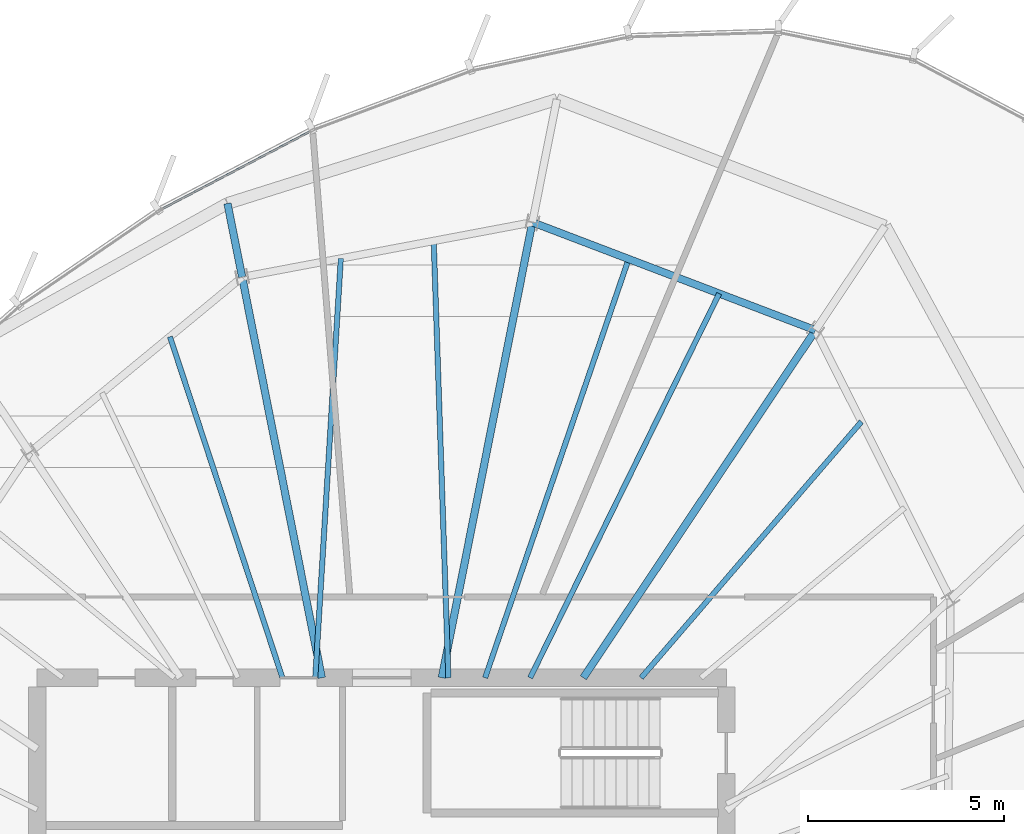
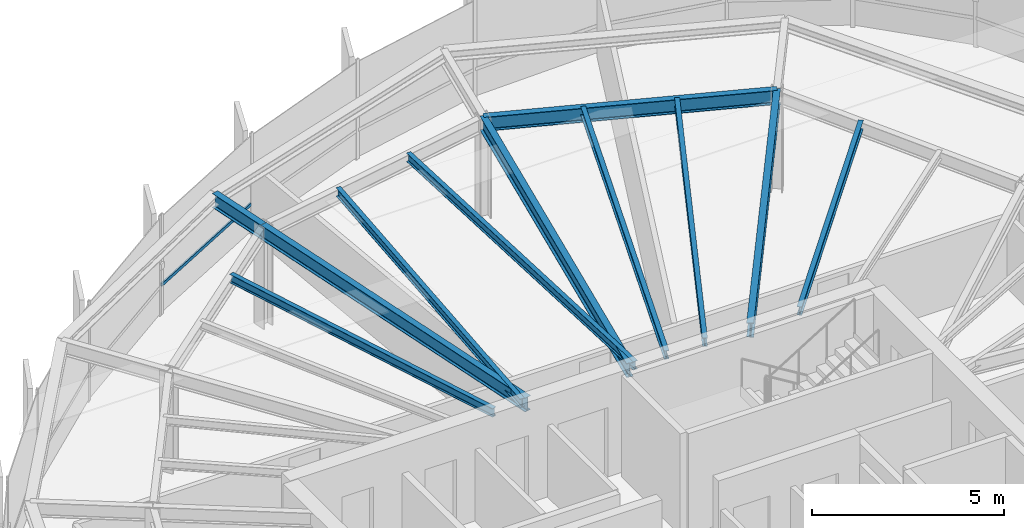
# One storey, part 22 of 35: 11 beams, 1 member, 1 element without a shape of its own.
"""IFC4 building model written with IfcOpenShell, lengths in metres."""

from ifc_helpers import new_model, si_unit, direction, frame, origin, origin_2d, place, context, subcontext, project, spatial, hollow_rectangle, i_section, extrude, source, transform, mapped, material, layer, layer_set, material_profile, profile_set, type_object, element, aggregate, save


model = new_model("IFC4")

# Units and contexts
model_context = context("Model", 3, precision=1e-05, world=origin(), true_north=direction((0.0, 1.0)))
body_context = subcontext(model_context, "Body", "Model", "MODEL_VIEW")
ifc_project = project(units=[si_unit("LENGTHUNIT", "METRE"), si_unit("AREAUNIT", "SQUARE_METRE"), si_unit("VOLUMEUNIT", "CUBIC_METRE"), si_unit("PLANEANGLEUNIT", "RADIAN"), si_unit("MASSUNIT", "GRAM", prefix="KILO"), si_unit("THERMODYNAMICTEMPERATUREUNIT", "KELVIN")], contexts=[model_context])

# Site, building, storey
site_placement = place(None, origin())
site = spatial("IfcSite", under=ifc_project, at=site_placement, CompositionType="ELEMENT")
building_placement = place(site_placement, origin())
building = spatial("IfcBuilding", under=site, at=building_placement, Name="Kethvar Cultural Tower", CompositionType="ELEMENT")
storey_placement = place(building_placement, frame((0.0, 0.0, 249.10009765625)))
storey = spatial("IfcBuildingStorey", under=building, at=storey_placement, Name="L65", CompositionType="ELEMENT", Elevation=249.10009765625)

# Beams
ifc_material_1 = material(Name="Steel S355J2", Category="steel")
ifc_material_profile_1 = material_profile(ifc_material_1, i_section(OverallWidth=0.18994140625, OverallDepth=0.449951171875, WebThickness=0.009521484375, FlangeThickness=0.0146484375, FilletRadius=0.02099609375, at=origin_2d()), Name="Steel S355J2 — IPE450")
ifc_profile_set_1 = profile_set([ifc_material_profile_1], Name="Steel S355J2 — IPE450")
beam_type_1 = type_object("IfcBeamType", Name="BM-IPE450", PredefinedType="BEAM", material=ifc_profile_set_1)
shared_shape_1 = source(origin(), body_context, "Body", "SweptSolid", [
    extrude(i_section(OverallWidth=0.18994140625, OverallDepth=0.449951171875, WebThickness=0.009521484375, FlangeThickness=0.0146484375, FilletRadius=0.02099609375, at=origin_2d()), origin(), (0.0, 0.0, 1.0), 10.673828125),
])
beam_1_placement = place(storey_placement, frame((51.945068359375, 35.5, 2.98291015625), z_axis=(0.555576086183, 0.831465701314, 0.0), x_axis=(-0.831465701314, 0.555576086183, 0.0)))
element("IfcBeam", 1, at=beam_1_placement, inside=storey, type_object=beam_type_1, Name="L65 Primary Radial Beam RB-03", PredefinedType="BEAM", context=body_context, shape_type="MappedRepresentation", body=[
    mapped(shared_shape_1, transform((0.0, 0.0, 0.0), scale=1.0)),
])
shared_shape_2 = source(origin(), body_context, "Body", "SweptSolid", [
    extrude(i_section(OverallWidth=0.18994140625, OverallDepth=0.449951171875, WebThickness=0.009521484375, FlangeThickness=0.0146484375, FilletRadius=0.02099609375, at=origin_2d()), origin(), (0.0, 0.0, 1.0), 11.859375),
])
beam_2_placement = place(storey_placement, frame((48.33154296875, 35.5, 2.98291015625), z_axis=(0.195094640585, 0.980784421377, 0.0), x_axis=(-0.980784421377, 0.195094640585, 0.0)))
element("IfcBeam", 2, at=beam_2_placement, inside=storey, type_object=beam_type_1, Name="L65 Primary Radial Beam RB-04", PredefinedType="BEAM", context=body_context, shape_type="MappedRepresentation", body=[
    mapped(shared_shape_2, transform((0.0, 0.0, 0.0), scale=1.0)),
])
shared_shape_3 = source(origin(), body_context, "Body", "SweptSolid", [
    extrude(i_section(OverallWidth=0.18994140625, OverallDepth=0.449951171875, WebThickness=0.009521484375, FlangeThickness=0.0146484375, FilletRadius=0.02099609375, at=origin_2d()), origin(), (0.0, 0.0, 1.0), 10.432861328125),
])
beam_3_placement = place(storey_placement, frame((45.268310546875, 35.5, 2.98291015625), z_axis=(-0.195094483249, 0.980784452673, 0.0), x_axis=(-0.980784452673, -0.195094483249, 0.0)))
element("IfcBeam", 3, at=beam_3_placement, inside=storey, type_object=beam_type_1, Name="L65 Primary Radial Beam RB-05", PredefinedType="BEAM", context=body_context, shape_type="MappedRepresentation", body=[
    mapped(shared_shape_3, transform((0.0, 0.0, 0.0), scale=1.0)),
])
ifc_material_profile_2 = material_profile(ifc_material_1, i_section(OverallWidth=0.135009765625, OverallDepth=0.27001953125, WebThickness=0.006591796875, FlangeThickness=0.01025390625, FilletRadius=0.014892578125, at=origin_2d()), Name="Steel S355J2 — IPE270")
ifc_profile_set_2 = profile_set([ifc_material_profile_2], Name="Steel S355J2 — IPE270")
beam_type_2 = type_object("IfcBeamType", Name="BM-J270", PredefinedType="JOIST", material=ifc_profile_set_2)
shared_shape_4 = source(origin(), body_context, "Body", "SweptSolid", [
    extrude(i_section(OverallWidth=0.135009765625, OverallDepth=0.27001953125, WebThickness=0.006591796875, FlangeThickness=0.01025390625, FilletRadius=0.014892578125, at=origin_2d()), origin(), (0.0, 0.0, 1.0), 8.6259765625),
])
beam_4_placement = place(storey_placement, frame((53.42333984375, 35.5, 3.072998046875), z_axis=(0.65210499689, 0.758128665222, 0.0), x_axis=(-0.758128665222, 0.65210499689, 0.0)))
element("IfcBeam", 4, at=beam_4_placement, inside=storey, type_object=beam_type_2, Name="L65 Composite Floor Joist J-02B", PredefinedType="JOIST", context=body_context, shape_type="MappedRepresentation", body=[
    mapped(shared_shape_4, transform((0.0, 0.0, 0.0), scale=1.0)),
])
shared_shape_5 = source(origin(), body_context, "Body", "SweptSolid", [
    extrude(i_section(OverallWidth=0.18994140625, OverallDepth=0.449951171875, WebThickness=0.009521484375, FlangeThickness=0.0146484375, FilletRadius=0.02099609375, at=origin_2d()), origin(), (0.0, 0.0, 1.0), 7.737548828125),
])
beam_5_placement = place(storey_placement, frame((57.875244140625, 44.375, 2.98291015625), z_axis=(-0.934388230776, 0.356256416347, 0.0), x_axis=(-0.356256416347, -0.934388230776, 0.0)))
element("IfcBeam", 5, at=beam_5_placement, inside=storey, type_object=beam_type_1, Name="L65 Column Ring Tie Beam CR-03", PredefinedType="BEAM", context=body_context, shape_type="MappedRepresentation", body=[
    mapped(shared_shape_5, transform((0.0, 0.0, 0.0), scale=1.0)),
])
shared_shape_6 = source(origin(), body_context, "Body", "SweptSolid", [
    extrude(i_section(OverallWidth=0.135009765625, OverallDepth=0.27001953125, WebThickness=0.006591796875, FlangeThickness=0.01025390625, FilletRadius=0.014892578125, at=origin_2d()), origin(), (0.0, 0.0, 1.0), 10.935791015625),
])
beam_6_placement = place(storey_placement, frame((50.5888671875, 35.5, 3.072998046875), z_axis=(0.441498236677, 0.897262117227, 0.0), x_axis=(-0.897262117227, 0.441498236677, 0.0)))
element("IfcBeam", 6, at=beam_6_placement, inside=storey, type_object=beam_type_2, Name="L65 Composite Floor Joist J-03A", PredefinedType="JOIST", context=body_context, shape_type="MappedRepresentation", body=[
    mapped(shared_shape_6, transform((0.0, 0.0, 0.0), scale=1.0)),
])
shared_shape_7 = source(origin(), body_context, "Body", "SweptSolid", [
    extrude(i_section(OverallWidth=0.135009765625, OverallDepth=0.27001953125, WebThickness=0.006591796875, FlangeThickness=0.01025390625, FilletRadius=0.014892578125, at=origin_2d()), origin(), (0.0, 0.0, 1.0), 11.304931640625),
])
beam_7_placement = place(storey_placement, frame((49.438720703125, 35.5, 3.072998046875), z_axis=(0.324179110764, 0.945995720997, 0.0), x_axis=(-0.945995720997, 0.324179110764, 0.0)))
element("IfcBeam", 7, at=beam_7_placement, inside=storey, type_object=beam_type_2, Name="L65 Composite Floor Joist J-03B", PredefinedType="JOIST", context=body_context, shape_type="MappedRepresentation", body=[
    mapped(shared_shape_7, transform((0.0, 0.0, 0.0), scale=1.0)),
])
shared_shape_8 = source(origin(), body_context, "Body", "SweptSolid", [
    extrude(i_section(OverallWidth=0.135009765625, OverallDepth=0.27001953125, WebThickness=0.006591796875, FlangeThickness=0.01025390625, FilletRadius=0.014892578125, at=origin_2d()), origin(), (0.0, 0.0, 1.0), 11.162109375),
])
beam_8_placement = place(storey_placement, frame((48.5, 35.5, 3.072998046875), z_axis=(-0.0335959409, 0.999435497046, 0.0), x_axis=(-0.999435497046, -0.0335959409, 0.0)))
element("IfcBeam", 8, at=beam_8_placement, inside=storey, type_object=beam_type_2, Name="L65 Composite Floor Joist J-04A", PredefinedType="JOIST", context=body_context, shape_type="MappedRepresentation", body=[
    mapped(shared_shape_8, transform((0.0, 0.0, 0.0), scale=1.0)),
])
shared_shape_9 = source(origin(), body_context, "Body", "SweptSolid", [
    extrude(i_section(OverallWidth=0.135009765625, OverallDepth=0.27001953125, WebThickness=0.006591796875, FlangeThickness=0.01025390625, FilletRadius=0.014892578125, at=origin_2d()), origin(), (0.0, 0.0, 1.0), 10.727783203125),
])
beam_9_placement = place(storey_placement, frame((45.10009765625, 35.5, 3.072998046875), z_axis=(0.060876395586, 0.998145312297, 0.0), x_axis=(-0.998145312297, 0.060876395586, 0.0)))
element("IfcBeam", 9, at=beam_9_placement, inside=storey, type_object=beam_type_2, Name="L65 Composite Floor Joist J-04B", PredefinedType="JOIST", context=body_context, shape_type="MappedRepresentation", body=[
    mapped(shared_shape_9, transform((0.0, 0.0, 0.0), scale=1.0)),
])
shared_shape_10 = source(origin(), body_context, "Body", "SweptSolid", [
    extrude(i_section(OverallWidth=0.135009765625, OverallDepth=0.27001953125, WebThickness=0.006591796875, FlangeThickness=0.01025390625, FilletRadius=0.014892578125, at=origin_2d()), origin(), (0.0, 0.0, 1.0), 9.17138671875),
])
beam_10_placement = place(storey_placement, frame((44.260986328125, 35.5, 3.072998046875), z_axis=(-0.313151555446, 0.949703165901, 0.0), x_axis=(-0.949703165901, -0.313151555446, 0.0)))
element("IfcBeam", 10, at=beam_10_placement, inside=storey, type_object=beam_type_2, Name="L65 Composite Floor Joist J-05A", PredefinedType="JOIST", context=body_context, shape_type="MappedRepresentation", body=[
    mapped(shared_shape_10, transform((0.0, 0.0, 0.0), scale=1.0)),
])
shared_shape_11 = source(origin(), body_context, "Body", "SweptSolid", [
    extrude(i_section(OverallWidth=0.18994140625, OverallDepth=0.449951171875, WebThickness=0.009521484375, FlangeThickness=0.0146484375, FilletRadius=0.02099609375, at=origin_2d()), origin(), (0.0, 0.0, 1.0), 1.917236328125),
])
beam_11_placement = place(storey_placement, frame((43.23291015625, 45.732421875, 2.98291015625), z_axis=(-0.195087498068, 0.980785842117, 0.0), x_axis=(-0.980785842117, -0.195087498068, 0.0)))
element("IfcBeam", 11, at=beam_11_placement, inside=storey, type_object=beam_type_1, Name="L65 Perimeter Cantilever Beam RC-05", PredefinedType="BEAM", context=body_context, shape_type="MappedRepresentation", body=[
    mapped(shared_shape_11, transform((0.0, 0.0, 0.0), scale=1.0)),
])

# Curtain wall, member
ifc_material_2 = material(Name="Aluminium 6063-T6", Category="aluminium")
ifc_layer = layer(ifc_material_2, 0.179931640625, Name="Aluminium 6063-T6", Category="aluminium")
ifc_layer_set = layer_set([ifc_layer], Name="Aluminium 6063-T6 (180 mm)")
curtain_wall_type = type_object("IfcCurtainWallType", Name="CW-SYS-05-Z56", PredefinedType="NOTDEFINED", material=ifc_layer_set)
curtain_wall_placement = place(storey_placement, origin())
curtain_wall = element("IfcCurtainWall", 12, at=curtain_wall_placement, inside=storey, type_object=curtain_wall_type, Name="L65 Curtain Wall Run 01", PredefinedType="NOTDEFINED")
ifc_material_profile_3 = material_profile(ifc_material_2, hollow_rectangle(XDim=0.050048828125, YDim=0.10009765625, WallThickness=0.00390625, at=origin_2d()), Name="Aluminium 6063-T6 — RHS100x50x4")
ifc_profile_set_3 = profile_set([ifc_material_profile_3], Name="Aluminium 6063-T6 — RHS100x50x4")
member_type = type_object("IfcMemberType", Name="CW-SYS-05-Z56-TRN", PredefinedType="USERDEFINED", material=ifc_profile_set_3)
shared_shape_12 = source(origin(), body_context, "Body", "SweptSolid", [
    extrude(hollow_rectangle(XDim=0.050048828125, YDim=0.10009765625, WallThickness=0.00390625, at=origin_2d()), origin(), (0.0, 0.0, 1.0), 4.330810546875),
])
member_placement = place(storey_placement, frame((44.997802734375, 49.46728515625, 0.949951171875), z_axis=(-0.885858015484, -0.463956438045, 0.0), x_axis=(0.463956438045, -0.885858015484, 0.0)))
member = element("IfcMember", 13, at=member_placement, type_object=member_type, Name="CW-L65-R01 Transom 6", ObjectType="TRANSOM", PredefinedType="USERDEFINED", context=body_context, shape_type="MappedRepresentation", body=[
    mapped(shared_shape_12, transform((0.0, 0.0, 0.0), scale=1.0)),
])
aggregate(curtain_wall, [member])

save(model, "model.ifc")
